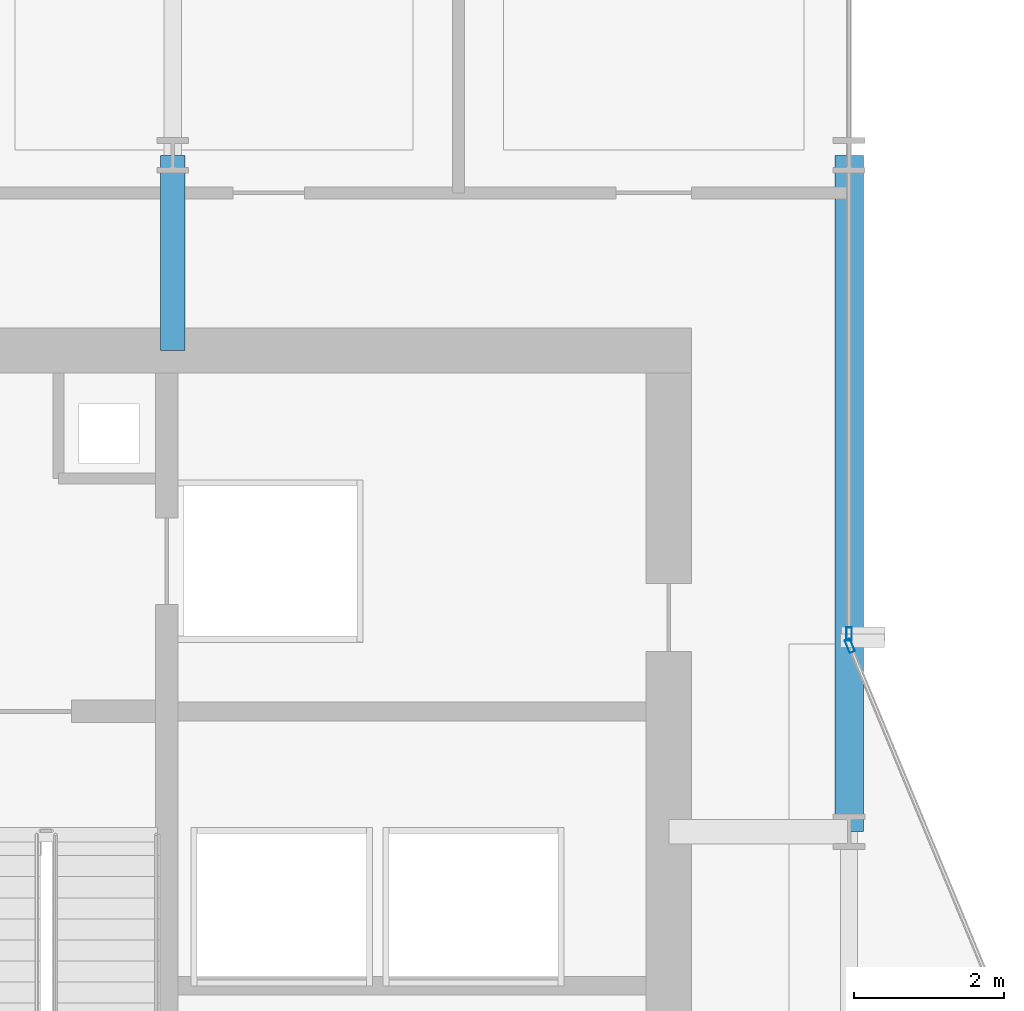
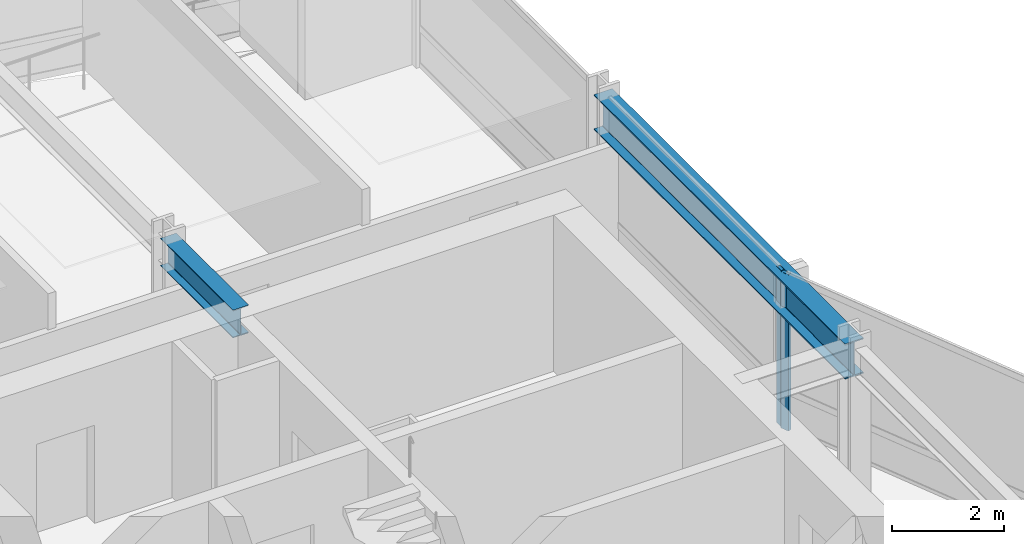
# One storey, part 21 of 34: 2 beams, 2 members, 2 elements without a shape of their own.
"""IFC4 building model written with IfcOpenShell, lengths in metres."""

from ifc_helpers import new_model, si_unit, direction, frame, origin, origin_2d, place, context, subcontext, project, spatial, hollow_rectangle, i_section, extrude, material, layer, layer_set, material_profile, profile_set, type_object, element, aggregate, save


model = new_model("IFC4")

# Units and contexts
model_context = context("Model", 3, precision=1e-05, world=origin(), true_north=direction((0.0, 1.0)))
body_context = subcontext(model_context, "Body", "Model", "MODEL_VIEW")
ifc_project = project(units=[si_unit("LENGTHUNIT", "METRE"), si_unit("AREAUNIT", "SQUARE_METRE"), si_unit("VOLUMEUNIT", "CUBIC_METRE"), si_unit("PLANEANGLEUNIT", "RADIAN"), si_unit("MASSUNIT", "GRAM", prefix="KILO")], contexts=[model_context])

# Site, building, storey
site_placement = place(None, origin())
site = spatial("IfcSite", under=ifc_project, at=site_placement, CompositionType="ELEMENT")
building_placement = place(site_placement, origin())
building = spatial("IfcBuilding", under=site, at=building_placement, Name="Solvaryn Broadcast Tower", CompositionType="ELEMENT")
storey_placement = place(building_placement, frame((0.0, 0.0, 89.10009765625)))
storey = spatial("IfcBuildingStorey", under=building, at=storey_placement, Name="L21", CompositionType="ELEMENT", Elevation=89.10009765625)

# Beams
ifc_material_1 = material(Name="Steel ASTM A992 Grade 50", Category="steel")
ifc_material_profile_1 = material_profile(ifc_material_1, i_section(OverallWidth=0.323974609375, OverallDepth=0.611083984375, WebThickness=0.0126953125, FlangeThickness=0.01904296875, FilletRadius=0.014892578125, at=origin_2d()))
ifc_profile_set_1 = profile_set([ifc_material_profile_1], Name="Steel ASTM A992 Grade 50")
beam_type_1 = type_object("IfcBeamType", Name="BM-B1-W24X104", PredefinedType="BEAM", material=ifc_profile_set_1)
beam_1_placement = place(storey_placement, frame((18.0, 42.39990234375, 3.114501953125), z_axis=(0.0, 1.0, 0.0), x_axis=(-1.0, 0.0, 0.0)))
element("IfcBeam", 1, at=beam_1_placement, inside=storey, type_object=beam_type_1, Name="L21 Core Tie Beam CTW3", PredefinedType="BEAM", context=body_context, shape_type="SweptSolid", body=[
    extrude(i_section(OverallWidth=0.323974609375, OverallDepth=0.611083984375, WebThickness=0.0126953125, FlangeThickness=0.01904296875, FilletRadius=0.014892578125, at=origin_2d()), origin(), (0.0, 0.0, 1.0), 2.60009765625),
])
ifc_material_2 = material(Name="Steel ASTM A992 Grade 50", Category="steel")
ifc_material_profile_2 = material_profile(ifc_material_2, i_section(OverallWidth=0.381103515625, OverallDepth=0.77294921875, WebThickness=0.0166015625, FlangeThickness=0.027099609375, FilletRadius=0.01806640625, at=origin_2d()))
ifc_profile_set_2 = profile_set([ifc_material_profile_2], Name="Steel ASTM A992 Grade 50")
beam_type_2 = type_object("IfcBeamType", Name="BM-SP1-W30X173", PredefinedType="USERDEFINED", material=ifc_profile_set_2)
beam_2_placement = place(storey_placement, frame((27.0, 36.0, 3.033447265625), z_axis=(0.0, 1.0, 0.0), x_axis=(-1.0, 0.0, 0.0)))
element("IfcBeam", 2, at=beam_2_placement, inside=storey, type_object=beam_type_2, Name="L21 Spandrel Beam Y (36-45 @ X=27)", ObjectType="SPANDREL", PredefinedType="USERDEFINED", context=body_context, shape_type="SweptSolid", body=[
    extrude(i_section(OverallWidth=0.381103515625, OverallDepth=0.77294921875, WebThickness=0.0166015625, FlangeThickness=0.027099609375, FilletRadius=0.01806640625, at=origin_2d()), origin(), (0.0, 0.0, 1.0), 9.0),
])

# Curtain wall, member
ifc_material_3 = material(Name="Aluminium and Terracotta Unitised Curtain Wall", Category="masonry")
ifc_layer = layer(ifc_material_3, 0.199951171875)
ifc_layer_set = layer_set([ifc_layer], Name="CW-SYS2-LOWMID")
curtain_wall_type = type_object("IfcCurtainWallType", Name="CW-SYS2-LOWMID", PredefinedType="NOTDEFINED", material=ifc_layer_set)
curtain_wall_1_placement = place(storey_placement, origin())
curtain_wall_1 = element("IfcCurtainWall", 3, at=curtain_wall_1_placement, inside=storey, type_object=curtain_wall_type, Name="L21 Curtain Wall IV", PredefinedType="NOTDEFINED")
ifc_material_4 = material(Name="Anodised Aluminium 6063-T6", Category="aluminium")
ifc_material_profile_3 = material_profile(ifc_material_4, hollow_rectangle(XDim=0.074951171875, YDim=0.179931640625, WallThickness=0.00390625, InnerFilletRadius=0.00390625, OuterFilletRadius=0.008056640625, at=origin_2d()))
ifc_profile_set_3 = profile_set([ifc_material_profile_3], Name="Anodised Aluminium 6063-T6")
member_type = type_object("IfcMemberType", Name="CW-MUL-180", PredefinedType="MULLION", material=ifc_profile_set_3)
member_1_placement = place(storey_placement, frame((27.0, 38.6298828125, 0.0), z_axis=(0.0, 0.0, 1.0), x_axis=(1.0, 0.0, 0.0)))
member_1 = element("IfcMember", 4, at=member_1_placement, type_object=member_type, Name="CWS2 mullion 2", PredefinedType="MULLION", context=body_context, shape_type="SweptSolid", body=[
    extrude(hollow_rectangle(XDim=0.074951171875, YDim=0.179931640625, WallThickness=0.00390625, InnerFilletRadius=0.00390625, OuterFilletRadius=0.008056640625, at=origin_2d()), origin(), (0.0, 0.0, 1.0), 3.419921875),
])
aggregate(curtain_wall_1, [member_1])

curtain_wall_2_placement = place(storey_placement, origin())
curtain_wall_2 = element("IfcCurtainWall", 5, at=curtain_wall_2_placement, inside=storey, type_object=curtain_wall_type, Name="L21 Curtain Wall CN2", PredefinedType="NOTDEFINED")
member_2_placement = place(storey_placement, frame((27.011474609375, 38.47216796875, 0.0), z_axis=(0.0, 0.0, 1.0), x_axis=(-0.923894983957, -0.382646127145, 0.0)))
member_2 = element("IfcMember", 6, at=member_2_placement, type_object=member_type, Name="CWS2 mullion 2", PredefinedType="MULLION", context=body_context, shape_type="SweptSolid", body=[
    extrude(hollow_rectangle(XDim=0.074951171875, YDim=0.179931640625, WallThickness=0.00390625, InnerFilletRadius=0.00390625, OuterFilletRadius=0.008056640625, at=origin_2d()), origin(), (0.0, 0.0, 1.0), 3.419921875),
])
aggregate(curtain_wall_2, [member_2])

save(model, "model.ifc")
